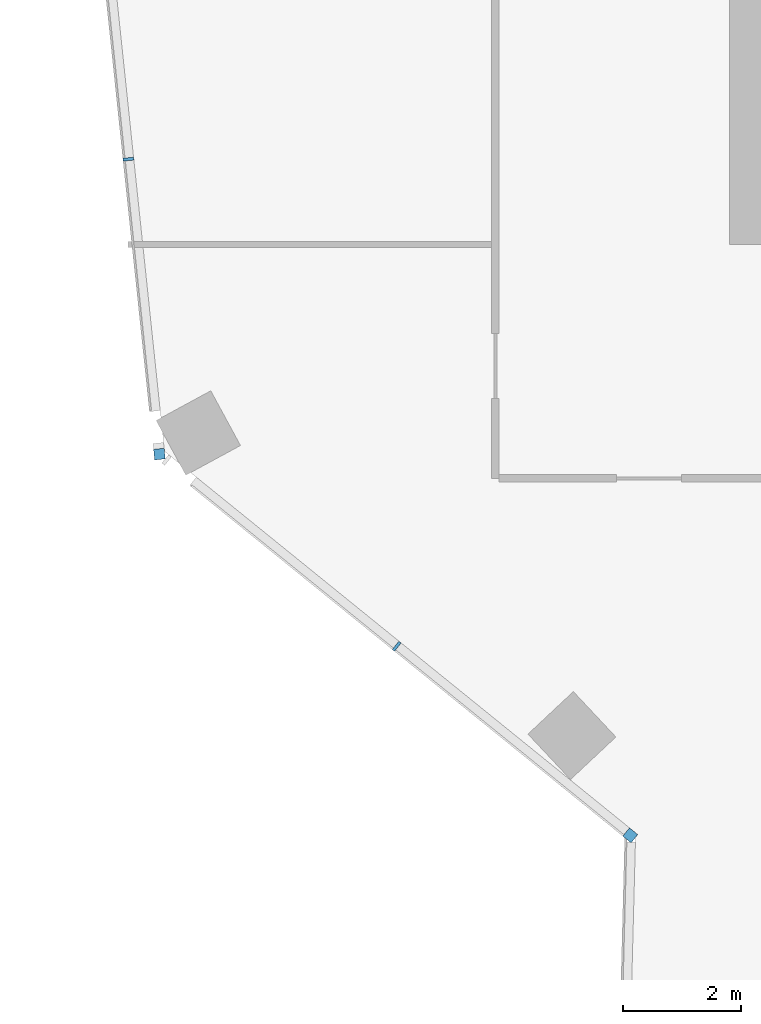
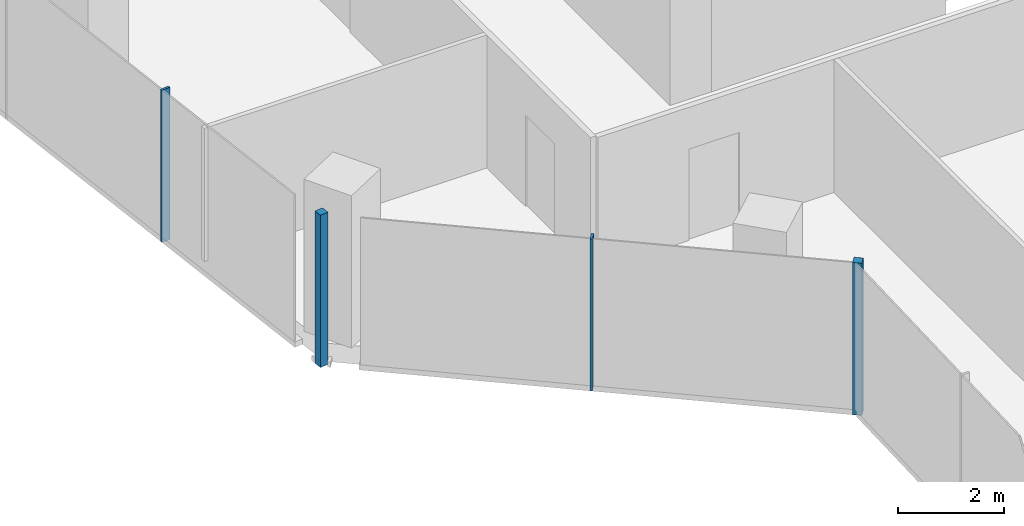
# One storey, part 4 of 23: 4 members, 2 elements without a shape of their own.
"""IFC4 building model written with IfcOpenShell, lengths in metres."""

from ifc_helpers import new_model, si_unit, direction, frame, origin, origin_2d, place, context, subcontext, project, spatial, rectangle, extrude, material, material_profile, profile_set, type_object, element, aggregate, save


model = new_model("IFC4")

# Units and contexts
model_context = context("Model", 3, precision=1e-05, world=origin(), true_north=direction((0.0, 1.0)))
body_context = subcontext(model_context, "Body", "Model", "MODEL_VIEW")
ifc_project = project(units=[si_unit("LENGTHUNIT", "METRE"), si_unit("AREAUNIT", "SQUARE_METRE"), si_unit("VOLUMEUNIT", "CUBIC_METRE"), si_unit("PLANEANGLEUNIT", "RADIAN"), si_unit("MASSUNIT", "GRAM", prefix="KILO")], contexts=[model_context])

# Site, building, storey
site_placement = place(None, origin())
site = spatial("IfcSite", under=ifc_project, at=site_placement, CompositionType="ELEMENT")
building_placement = place(site_placement, origin())
building = spatial("IfcBuilding", under=site, at=building_placement, Name="Orlundy Tower", CompositionType="ELEMENT")
storey_placement = place(building_placement, frame((0.0, 0.0, 221.0)))
storey = spatial("IfcBuildingStorey", under=building, at=storey_placement, Name="L58", CompositionType="ELEMENT", Elevation=221.0)

# Curtain wall, member
ifc_material_1 = material(Name="Aluminium bronze anodised", Category="aluminium")
curtain_wall_type = type_object("IfcCurtainWallType", Name="CW1 wall", PredefinedType="NOTDEFINED", material=ifc_material_1)
curtain_wall_1_placement = place(storey_placement, origin())
curtain_wall_1 = element("IfcCurtainWall", 1, at=curtain_wall_1_placement, inside=storey, type_object=curtain_wall_type, Name="CW1 run 01", PredefinedType="NOTDEFINED")
ifc_material_2 = material(Name="Aluminium bronze anodised", Category="aluminium")
ifc_material_profile_1 = material_profile(ifc_material_2, rectangle(XDim=0.179931640625, YDim=0.179931640625, at=origin_2d()), Name="CW1 corner post 180x180")
ifc_profile_set_1 = profile_set([ifc_material_profile_1], Name="Aluminium bronze anodised")
member_type_1 = type_object("IfcMemberType", Name="CW1 corner post 180x180", PredefinedType="MULLION", material=ifc_profile_set_1)
member_1_placement = place(storey_placement, frame((-20.672119140625, -21.97802734375, -0.419921875), z_axis=(0.0, 0.0, 1.0), x_axis=(-0.629282527892, -0.77717662091, 0.0)))
member_1 = element("IfcMember", 2, at=member_1_placement, type_object=member_type_1, Name="CW1 mullion 3", PredefinedType="MULLION", context=body_context, shape_type="SweptSolid", body=[
    extrude(rectangle(XDim=0.179931640625, YDim=0.179931640625, at=origin_2d()), origin(), (0.0, 0.0, 1.0), 3.5),
])

curtain_wall_2_placement = place(storey_placement, origin())
curtain_wall_2 = element("IfcCurtainWall", 3, at=curtain_wall_2_placement, inside=storey, type_object=curtain_wall_type, Name="CW1 run 02", PredefinedType="NOTDEFINED")
member_2_placement = place(storey_placement, frame((-28.62255859375, -15.54052734375, -0.419921875), z_axis=(0.0, 0.0, 1.0), x_axis=(-0.994520875843, -0.104538162943, 0.0)))
member_2 = element("IfcMember", 4, at=member_2_placement, type_object=member_type_1, Name="CW1 mullion 5", PredefinedType="MULLION", context=body_context, shape_type="SweptSolid", body=[
    extrude(rectangle(XDim=0.179931640625, YDim=0.179931640625, at=origin_2d()), origin(), (0.0, 0.0, 1.0), 3.5),
])

# Member
ifc_material_3 = material(Name="Aluminium bronze anodised", Category="aluminium")
ifc_material_profile_2 = material_profile(ifc_material_3, rectangle(XDim=0.179931640625, YDim=0.050048828125, at=origin_2d()), Name="CW1 mullion 50x180")
ifc_profile_set_2 = profile_set([ifc_material_profile_2], Name="Aluminium bronze anodised")
member_type_2 = type_object("IfcMemberType", Name="CW1 mullion 50x180", PredefinedType="MULLION", material=ifc_profile_set_2)
member_3_placement = place(storey_placement, frame((-24.61572265625, -18.784912109375, -0.419921875), z_axis=(0.0, 0.0, 1.0), x_axis=(-0.629282527892, -0.77717662091, 0.0)))
member_3 = element("IfcMember", 5, at=member_3_placement, type_object=member_type_2, Name="CW1 mullion 4", PredefinedType="MULLION", context=body_context, shape_type="SweptSolid", body=[
    extrude(rectangle(XDim=0.179931640625, YDim=0.050048828125, at=origin_2d()), origin(), (0.0, 0.0, 1.0), 3.5),
])

aggregate(curtain_wall_1, [member_1, member_3])

member_4_placement = place(storey_placement, frame((-29.14599609375, -10.560302734375, -0.419921875), z_axis=(0.0, 0.0, 1.0), x_axis=(-0.994520875843, -0.104538162943, 0.0)))
member_4 = element("IfcMember", 6, at=member_4_placement, type_object=member_type_2, Name="CW1 mullion 6", PredefinedType="MULLION", context=body_context, shape_type="SweptSolid", body=[
    extrude(rectangle(XDim=0.179931640625, YDim=0.050048828125, at=origin_2d()), origin(), (0.0, 0.0, 1.0), 3.5),
])

aggregate(curtain_wall_2, [member_2, member_4])

save(model, "model.ifc")
